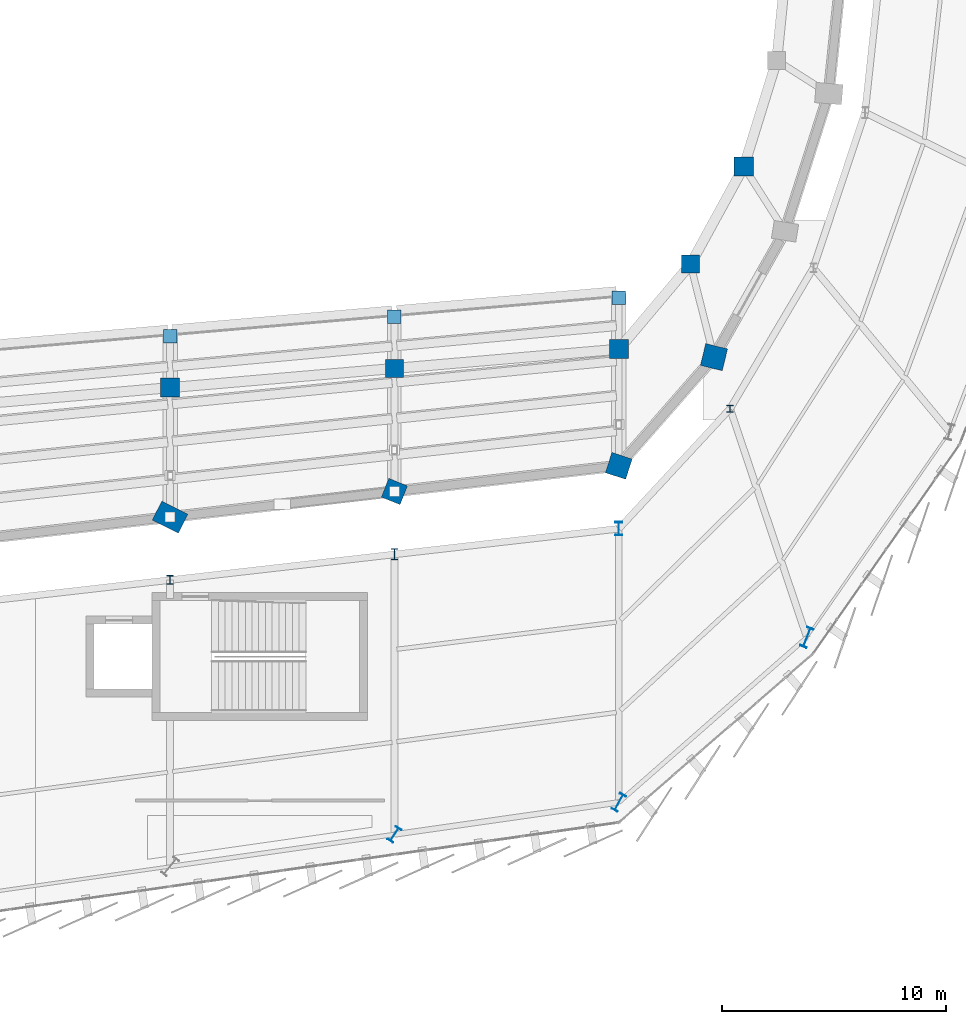
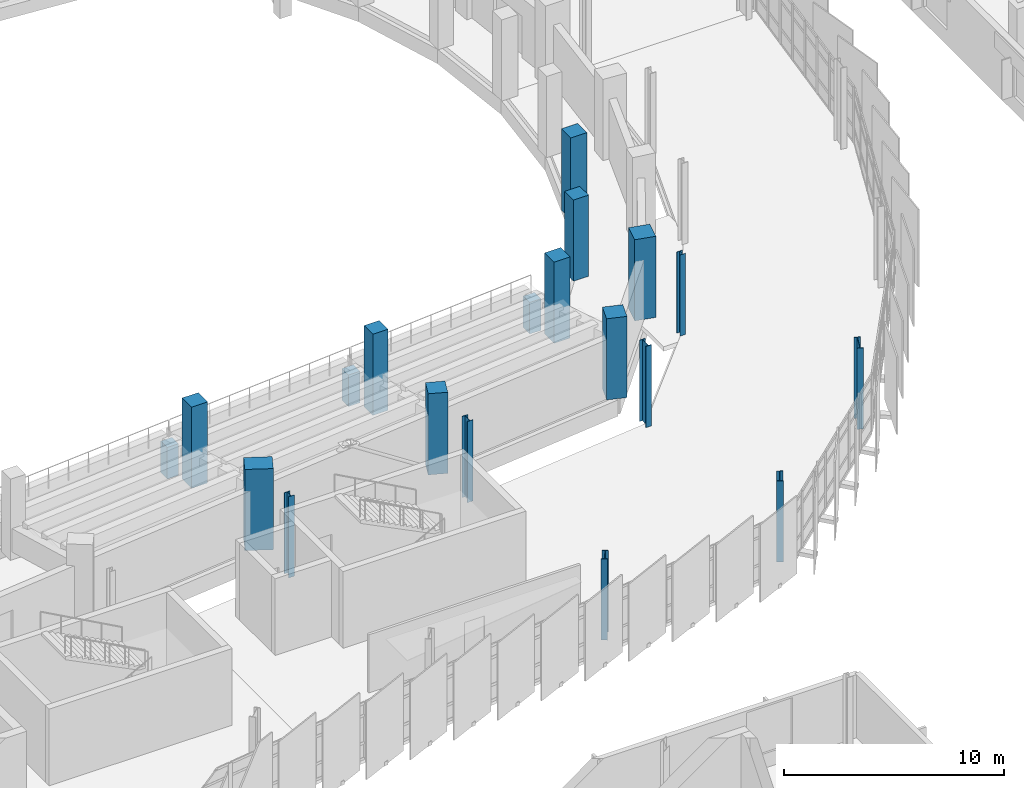
# One storey, part 18 of 120: 19 columns.
"""IFC4 building model written with IfcOpenShell, lengths in metres."""

from ifc_helpers import new_model, si_unit, direction, frame, origin, origin_2d, place, context, subcontext, project, spatial, rectangle, i_section, extrude, material, material_profile, profile_set, type_object, element, save


model = new_model("IFC4")

# Units and contexts
model_context = context("Model", 3, precision=1e-05, world=origin(), true_north=direction((0.0, 1.0)))
body_context = subcontext(model_context, "Body", "Model", "MODEL_VIEW")
ifc_project = project(units=[si_unit("LENGTHUNIT", "METRE"), si_unit("AREAUNIT", "SQUARE_METRE"), si_unit("VOLUMEUNIT", "CUBIC_METRE"), si_unit("PLANEANGLEUNIT", "RADIAN"), si_unit("MASSUNIT", "GRAM", prefix="KILO")], contexts=[model_context])

# Site, building, storey
site_placement = place(None, origin())
site = spatial("IfcSite", under=ifc_project, at=site_placement, CompositionType="ELEMENT")
building_placement = place(site_placement, origin())
building = spatial("IfcBuilding", under=site, at=building_placement, Name="Sohan Crest Arena", CompositionType="ELEMENT")
storey_placement = place(building_placement, frame((0.0, 0.0, 13.5)))
storey = spatial("IfcBuildingStorey", under=building, at=storey_placement, Name="L03", CompositionType="ELEMENT", Elevation=13.5)

# Columns
ifc_material_1 = material(Name="Concrete C40/50", Category="concrete")
ifc_material_profile_1 = material_profile(ifc_material_1, rectangle(XDim=0.60009765625, YDim=0.60009765625, at=origin_2d()), Name="RC 600x600")
ifc_profile_set_1 = profile_set([ifc_material_profile_1], Name="Concrete C40/50")
column_type_1 = type_object("IfcColumnType", Name="STR-COL-C01", PredefinedType="COLUMN", material=ifc_profile_set_1)
for number, where, z_axis, x_axis, name in (
    (1, (148.0, 60.785888671875, -1.0), (0.0, 0.0, 1.0), (1.0, 0.0, 0.0), "Upper tier nose support column RKP-N18"),
    (2, (158.0, 61.64306640625, -1.0), (0.0, 0.0, 1.0), (1.0, 0.0, 0.0), "Upper tier nose support column RKP-N19"),
    (3, (168.0, 62.5, -1.0), (0.0, 0.0, 1.0), (1.0, 0.0, 0.0), "Upper tier nose support column RKP-N20"),
):
    element("IfcColumn", number, at=place(storey_placement, frame(where, z_axis=z_axis, x_axis=x_axis)), inside=storey, type_object=column_type_1, Name=name, PredefinedType="COLUMN", context=body_context, shape_type="SweptSolid", body=[
        extrude(rectangle(XDim=0.60009765625, YDim=0.60009765625, at=origin_2d()), origin(), (0.0, 0.0, 1.0), 1.75),
    ])
ifc_material_profile_2 = material_profile(ifc_material_1, rectangle(XDim=0.800048828125, YDim=0.800048828125, at=origin_2d()), Name="RC 800x800")
ifc_profile_set_2 = profile_set([ifc_material_profile_2], Name="Concrete C40/50")
column_type_2 = type_object("IfcColumnType", Name="STR-COL-C05", PredefinedType="COLUMN", material=ifc_profile_set_2)
for number, where, z_axis, x_axis, name in (
    (4, (158.0, 59.343017578125, 0.0), (0.0, 0.0, 1.0), (1.0, 0.0, 0.0), "Structural column COL-V1M-19-L03"),
    (5, (171.194091796875, 63.988037109375, 0.0), (0.0, 0.0, 1.0), (1.0, 0.0, 0.0), "Structural column COL-V1M-21-L03"),
):
    element("IfcColumn", number, at=place(storey_placement, frame(where, z_axis=z_axis, x_axis=x_axis)), inside=storey, type_object=column_type_2, Name=name, PredefinedType="COLUMN", context=body_context, shape_type="SweptSolid", body=[
        extrude(rectangle(XDim=0.800048828125, YDim=0.800048828125, at=origin_2d()), origin(), (0.0, 0.0, 1.0), 4.5),
    ])
ifc_material_profile_3 = material_profile(ifc_material_1, rectangle(XDim=0.85009765625, YDim=0.85009765625, at=origin_2d()), Name="RC 850x850")
ifc_profile_set_3 = profile_set([ifc_material_profile_3], Name="Concrete C40/50")
column_type_3 = type_object("IfcColumnType", Name="STR-COL-C06", PredefinedType="COLUMN", material=ifc_profile_set_3)
for number, where, z_axis, x_axis, name in (
    (6, (148.0, 58.486083984375, 0.0), (0.0, 0.0, 1.0), (1.0, 0.0, 0.0), "Structural column COL-V1M-18-L03"),
    (7, (168.0, 60.199951171875, 0.0), (0.0, 0.0, 1.0), (1.0, 0.0, 0.0), "Structural column COL-V1M-20-L03"),
    (8, (173.571044921875, 68.3359375, 0.0), (0.0, 0.0, 1.0), (1.0, 0.0, 0.0), "Structural column COL-V1M-22-L03"),
):
    element("IfcColumn", number, at=place(storey_placement, frame(where, z_axis=z_axis, x_axis=x_axis)), inside=storey, type_object=column_type_3, Name=name, PredefinedType="COLUMN", context=body_context, shape_type="SweptSolid", body=[
        extrude(rectangle(XDim=0.85009765625, YDim=0.85009765625, at=origin_2d()), origin(), (0.0, 0.0, 1.0), 4.5),
    ])
ifc_material_profile_4 = material_profile(ifc_material_1, rectangle(XDim=0.89990234375, YDim=0.89990234375, at=origin_2d()), Name="RC 900x900")
ifc_profile_set_4 = profile_set([ifc_material_profile_4], Name="Concrete C40/50")
column_type_4 = type_object("IfcColumnType", Name="STR-COL-C07", PredefinedType="COLUMN", material=ifc_profile_set_4)
column_1_placement = place(storey_placement, frame((158.0, 53.85693359375, 0.0), z_axis=(0.0, 0.0, 1.0), x_axis=(-0.927836253899, 0.372987782576, 0.0)))
element("IfcColumn", 9, at=column_1_placement, inside=storey, type_object=column_type_4, Name="Structural column COL-V1R-19-L03", PredefinedType="COLUMN", context=body_context, shape_type="SweptSolid", body=[
    extrude(rectangle(XDim=0.89990234375, YDim=0.89990234375, at=origin_2d()), origin(), (0.0, 0.0, 1.0), 4.5),
])
ifc_material_profile_5 = material_profile(ifc_material_1, rectangle(XDim=0.949951171875, YDim=0.949951171875, at=origin_2d()), Name="RC 950x950")
ifc_profile_set_5 = profile_set([ifc_material_profile_5], Name="Concrete C40/50")
column_type_5 = type_object("IfcColumnType", Name="STR-COL-C08", PredefinedType="COLUMN", material=ifc_profile_set_5)
column_2_placement = place(storey_placement, frame((168.0, 55.0, 0.0), z_axis=(0.0, 0.0, 1.0), x_axis=(-0.949972051525, 0.312334918512, 0.0)))
element("IfcColumn", 10, at=column_2_placement, inside=storey, type_object=column_type_5, Name="Structural column COL-V1R-20-L03", PredefinedType="COLUMN", context=body_context, shape_type="SweptSolid", body=[
    extrude(rectangle(XDim=0.949951171875, YDim=0.949951171875, at=origin_2d()), origin(), (0.0, 0.0, 1.0), 4.5),
])
ifc_material_profile_6 = material_profile(ifc_material_1, rectangle(XDim=1.0, YDim=1.0, at=origin_2d()), Name="RC 1000x1000")
ifc_profile_set_6 = profile_set([ifc_material_profile_6], Name="Concrete C40/50")
column_type_6 = type_object("IfcColumnType", Name="STR-COL-C09", PredefinedType="COLUMN", material=ifc_profile_set_6)
column_3_placement = place(storey_placement, frame((172.242919921875, 59.845947265625, 0.0), z_axis=(0.0, 0.0, 1.0), x_axis=(-0.971549119998, 0.236838146066, 0.0)))
element("IfcColumn", 11, at=column_3_placement, inside=storey, type_object=column_type_6, Name="Structural column COL-V1R-21-L03", PredefinedType="COLUMN", context=body_context, shape_type="SweptSolid", body=[
    extrude(rectangle(XDim=1.0, YDim=1.0, at=origin_2d()), origin(), (0.0, 0.0, 1.0), 4.5),
])
ifc_material_profile_7 = material_profile(ifc_material_1, rectangle(XDim=1.300048828125, YDim=0.949951171875, at=origin_2d()), Name="RC 1300x950")
ifc_profile_set_7 = profile_set([ifc_material_profile_7], Name="Concrete C40/50")
column_type_7 = type_object("IfcColumnType", Name="STR-COL-C12", PredefinedType="COLUMN", material=ifc_profile_set_7)
column_4_placement = place(storey_placement, frame((148.0, 52.714111328125, 0.0), z_axis=(0.0, 0.0, 1.0), x_axis=(-0.892585818452, 0.450877540689, 0.0)))
element("IfcColumn", 12, at=column_4_placement, inside=storey, type_object=column_type_7, Name="Structural column COL-V1R-18-L03", PredefinedType="COLUMN", context=body_context, shape_type="SweptSolid", body=[
    extrude(rectangle(XDim=1.300048828125, YDim=0.949951171875, at=origin_2d()), origin(), (0.0, 0.0, 1.0), 4.5),
])
ifc_material_2 = material(Name="Steel S355", Category="steel")
ifc_material_profile_8 = material_profile(ifc_material_2, i_section(OverallWidth=0.300048828125, OverallDepth=0.300048828125, WebThickness=0.010986328125, FlangeThickness=0.01904296875, at=origin_2d()), Name="HEB 300")
ifc_profile_set_8 = profile_set([ifc_material_profile_8], Name="Steel S355")
column_type_8 = type_object("IfcColumnType", Name="STR-COL-C17", PredefinedType="COLUMN", material=ifc_profile_set_8)
column_5_placement = place(storey_placement, frame((172.9609375, 57.547119140625, 0.0), z_axis=(0.0, 0.0, 1.0), x_axis=(1.0, 0.0, 0.0)))
element("IfcColumn", 13, at=column_5_placement, inside=storey, type_object=column_type_8, Name="Structural column COL-V2I-21-L03", PredefinedType="COLUMN", context=body_context, shape_type="SweptSolid", body=[
    extrude(i_section(OverallWidth=0.300048828125, OverallDepth=0.300048828125, WebThickness=0.010986328125, FlangeThickness=0.01904296875, at=origin_2d()), origin(), (0.0, 0.0, 1.0), 4.5),
])
ifc_material_profile_9 = material_profile(ifc_material_2, i_section(OverallWidth=0.300048828125, OverallDepth=0.39990234375, WebThickness=0.013427734375, FlangeThickness=0.02392578125, at=origin_2d()), Name="HEB 400")
ifc_profile_set_9 = profile_set([ifc_material_profile_9], Name="Steel S355")
column_type_9 = type_object("IfcColumnType", Name="STR-COL-C18", PredefinedType="COLUMN", material=ifc_profile_set_9)
column_6_placement = place(storey_placement, frame((148.0, 49.9140625, 0.0), z_axis=(0.0, 0.0, 1.0), x_axis=(1.0, 0.0, 0.0)))
element("IfcColumn", 14, at=column_6_placement, inside=storey, type_object=column_type_9, Name="Structural column COL-V2I-18-L03", PredefinedType="COLUMN", context=body_context, shape_type="SweptSolid", body=[
    extrude(i_section(OverallWidth=0.300048828125, OverallDepth=0.39990234375, WebThickness=0.013427734375, FlangeThickness=0.02392578125, at=origin_2d()), origin(), (0.0, 0.0, 1.0), 4.5),
])
ifc_material_profile_10 = material_profile(ifc_material_2, i_section(OverallWidth=0.300048828125, OverallDepth=0.5, WebThickness=0.014404296875, FlangeThickness=0.028076171875, at=origin_2d()), Name="HEB 500")
ifc_profile_set_10 = profile_set([ifc_material_profile_10], Name="Steel S355")
column_type_10 = type_object("IfcColumnType", Name="STR-COL-C19", PredefinedType="COLUMN", material=ifc_profile_set_10)
column_7_placement = place(storey_placement, frame((158.0, 51.056884765625, 0.0), z_axis=(0.0, 0.0, 1.0), x_axis=(1.0, 0.0, 0.0)))
element("IfcColumn", 15, at=column_7_placement, inside=storey, type_object=column_type_10, Name="Structural column COL-V2I-19-L03", PredefinedType="COLUMN", context=body_context, shape_type="SweptSolid", body=[
    extrude(i_section(OverallWidth=0.300048828125, OverallDepth=0.5, WebThickness=0.014404296875, FlangeThickness=0.028076171875, at=origin_2d()), origin(), (0.0, 0.0, 1.0), 4.5),
])
ifc_material_profile_11 = material_profile(ifc_material_2, i_section(OverallWidth=0.300048828125, OverallDepth=0.60009765625, WebThickness=0.015380859375, FlangeThickness=0.030029296875, at=origin_2d()), Name="HEB 600")
ifc_profile_set_11 = profile_set([ifc_material_profile_11], Name="Steel S355")
column_type_11 = type_object("IfcColumnType", Name="STR-COL-C20", PredefinedType="COLUMN", material=ifc_profile_set_11)
column_8_placement = place(storey_placement, frame((168.0, 52.199951171875, 0.0), z_axis=(0.0, 0.0, 1.0), x_axis=(1.0, 0.0, 0.0)))
element("IfcColumn", 16, at=column_8_placement, inside=storey, type_object=column_type_11, Name="Structural column COL-V2I-20-L03", PredefinedType="COLUMN", context=body_context, shape_type="SweptSolid", body=[
    extrude(i_section(OverallWidth=0.300048828125, OverallDepth=0.60009765625, WebThickness=0.015380859375, FlangeThickness=0.030029296875, at=origin_2d()), origin(), (0.0, 0.0, 1.0), 4.5),
])
ifc_material_profile_12 = material_profile(ifc_material_2, i_section(OverallWidth=0.300048828125, OverallDepth=0.699951171875, WebThickness=0.01708984375, FlangeThickness=0.031982421875, at=origin_2d()), Name="HEB 700")
ifc_profile_set_12 = profile_set([ifc_material_profile_12], Name="Steel S355")
column_type_12 = type_object("IfcColumnType", Name="STR-COL-C21", PredefinedType="COLUMN", material=ifc_profile_set_12)
column_9_placement = place(storey_placement, frame((158.0, 38.571044921875, 0.0), z_axis=(0.0, 0.0, 1.0), x_axis=(-0.835807361368, 0.549022817998, 0.0)))
element("IfcColumn", 17, at=column_9_placement, inside=storey, type_object=column_type_12, Name="Structural column COL-V2O-19-L03", PredefinedType="COLUMN", context=body_context, shape_type="SweptSolid", body=[
    extrude(i_section(OverallWidth=0.300048828125, OverallDepth=0.699951171875, WebThickness=0.01708984375, FlangeThickness=0.031982421875, at=origin_2d()), origin(), (0.0, 0.0, 1.0), 4.5),
])
ifc_material_profile_13 = material_profile(ifc_material_2, i_section(OverallWidth=0.300048828125, OverallDepth=0.800048828125, WebThickness=0.017578125, FlangeThickness=0.032958984375, at=origin_2d()), Name="HEB 800")
ifc_profile_set_13 = profile_set([ifc_material_profile_13], Name="Steel S355")
column_type_13 = type_object("IfcColumnType", Name="STR-COL-C22", PredefinedType="COLUMN", material=ifc_profile_set_13)
column_10_placement = place(storey_placement, frame((168.0, 40.0, 0.0), z_axis=(0.0, 0.0, 1.0), x_axis=(-0.878817112662, 0.47715876026, 0.0)))
element("IfcColumn", 18, at=column_10_placement, inside=storey, type_object=column_type_13, Name="Structural column COL-V2O-20-L03", PredefinedType="COLUMN", context=body_context, shape_type="SweptSolid", body=[
    extrude(i_section(OverallWidth=0.300048828125, OverallDepth=0.800048828125, WebThickness=0.017578125, FlangeThickness=0.032958984375, at=origin_2d()), origin(), (0.0, 0.0, 1.0), 4.5),
])
ifc_material_profile_14 = material_profile(ifc_material_2, i_section(OverallWidth=0.300048828125, OverallDepth=0.89990234375, WebThickness=0.0185546875, FlangeThickness=0.034912109375, at=origin_2d()), Name="HEB 900")
ifc_profile_set_14 = profile_set([ifc_material_profile_14], Name="Steel S355")
column_type_14 = type_object("IfcColumnType", Name="STR-COL-C23", PredefinedType="COLUMN", material=ifc_profile_set_14)
column_11_placement = place(storey_placement, frame((176.383056640625, 47.35498046875, 0.0), z_axis=(0.0, 0.0, 1.0), x_axis=(-0.931055815863, 0.364876784338, 0.0)))
element("IfcColumn", 19, at=column_11_placement, inside=storey, type_object=column_type_14, Name="Structural column COL-V2O-21-L03", PredefinedType="COLUMN", context=body_context, shape_type="SweptSolid", body=[
    extrude(i_section(OverallWidth=0.300048828125, OverallDepth=0.89990234375, WebThickness=0.0185546875, FlangeThickness=0.034912109375, at=origin_2d()), origin(), (0.0, 0.0, 1.0), 4.5),
])

save(model, "model.ifc")
